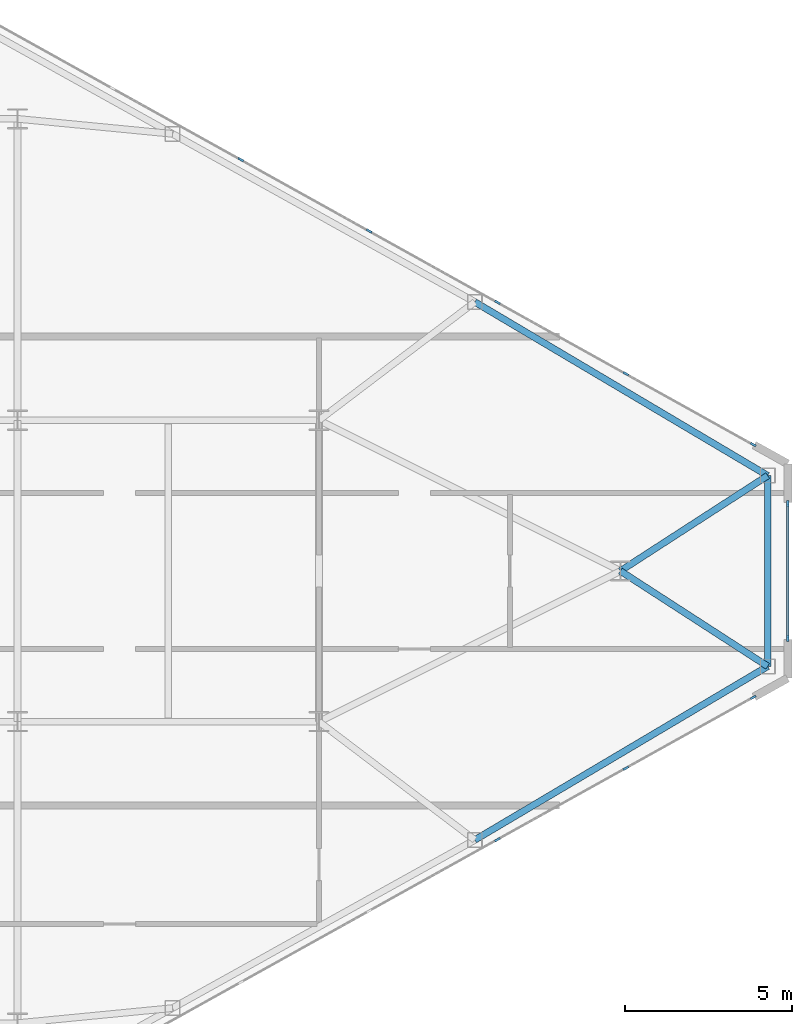
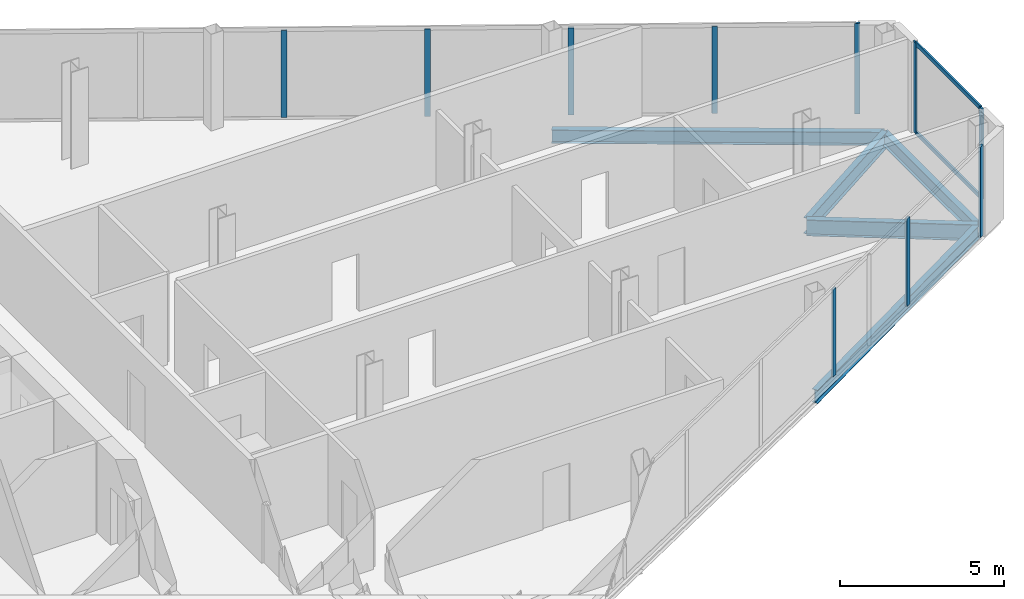
# One storey, part 17 of 26: 12 members, 5 beams, 3 elements without a shape of their own.
"""IFC4 building model written with IfcOpenShell, lengths in metres."""

from ifc_helpers import new_model, si_unit, direction, frame, origin, origin_2d, place, context, subcontext, project, spatial, rectangle, i_section, extrude, source, transform, mapped, material, layer, layer_set, material_profile, profile_set, type_object, type_shapes, element, aggregate, save


model = new_model("IFC4")

# Units and contexts
model_context = context("Model", 3, precision=1e-05, world=origin(), true_north=direction((0.0, 1.0)))
body_context = subcontext(model_context, "Body", "Model", "MODEL_VIEW")
ifc_project = project(units=[si_unit("LENGTHUNIT", "METRE"), si_unit("AREAUNIT", "SQUARE_METRE"), si_unit("VOLUMEUNIT", "CUBIC_METRE"), si_unit("PLANEANGLEUNIT", "RADIAN"), si_unit("MASSUNIT", "GRAM", prefix="KILO")], contexts=[model_context])

# Site, building, storey
site_placement = place(None, origin())
site = spatial("IfcSite", under=ifc_project, at=site_placement, CompositionType="ELEMENT")
building_placement = place(site_placement, origin())
building = spatial("IfcBuilding", under=site, at=building_placement, Name="Seokmaru Belvedere", CompositionType="ELEMENT")
storey_placement = place(building_placement, frame((0.0, 0.0, 167.10009765625)))
storey = spatial("IfcBuildingStorey", under=building, at=storey_placement, Name="L44", CompositionType="ELEMENT", Elevation=167.10009765625)

# Beams
ifc_material_1 = material(Name="Steel SM355 (355 MPa)", Category="steel")
ifc_material_profile_1 = material_profile(ifc_material_1, i_section(OverallWidth=0.199951171875, OverallDepth=0.5, WebThickness=0.010009765625, FlangeThickness=0.01611328125, at=origin_2d()), Name="H-500x200x10x16")
ifc_profile_set_1 = profile_set([ifc_material_profile_1], Name="Steel SM355 (355 MPa)")
beam_type_1 = type_object("IfcBeamType", Name="Perimeter Spandrel Beam H-500", PredefinedType="SPANDREL", material=ifc_profile_set_1)
shared_shape_1 = source(origin(), body_context, "Body", "SweptSolid", [
    extrude(i_section(OverallWidth=0.199951171875, OverallDepth=0.5, WebThickness=0.010009765625, FlangeThickness=0.01611328125, at=origin_2d()), origin(), (0.0, 0.0, 1.0), 10.16650390625),
])
for number, where, z_axis, x_axis, name in (
    (1, (59.154541015625, -8.031494140625, -0.47021484375), (0.860209996506, 0.509939959124, 0.0), (-0.509939959124, 0.860209996506, 0.0), "L44 E Faceted Flank Spandrel S-4"),
    (2, (59.154541015625, 8.031494140625, -0.47021484375), (0.860209996506, -0.509939959124, 0.0), (0.509939959124, 0.860209996506, 0.0), "L44 E Faceted Flank Spandrel N-4"),
):
    element("IfcBeam", number, at=place(storey_placement, frame(where, z_axis=z_axis, x_axis=x_axis)), inside=storey, type_object=beam_type_1, Name=name, PredefinedType="SPANDREL", context=body_context, shape_type="MappedRepresentation", body=[
        mapped(shared_shape_1, transform((0.0, 0.0, 0.0), scale=1.0)),
    ])
shared_shape_2 = source(origin(), body_context, "Body", "SweptSolid", [
    extrude(i_section(OverallWidth=0.199951171875, OverallDepth=0.5, WebThickness=0.010009765625, FlangeThickness=0.01611328125, at=origin_2d()), origin(), (0.0, 0.0, 1.0), 5.6943359375),
])
type_shapes(beam_type_1, [shared_shape_1, shared_shape_2])
beam_placement = place(storey_placement, frame((67.89990234375, -2.84716796875, -0.47021484375), z_axis=(0.0, 1.0, 0.0), x_axis=(-1.0, 0.0, 0.0)))
element("IfcBeam", 3, at=beam_placement, inside=storey, type_object=beam_type_1, Name="L44 E Faceted Apex Spandrel", PredefinedType="SPANDREL", context=body_context, shape_type="MappedRepresentation", body=[
    mapped(shared_shape_2, transform((0.0, 0.0, 0.0), scale=1.0)),
])
ifc_material_profile_2 = material_profile(ifc_material_1, i_section(OverallWidth=0.199951171875, OverallDepth=0.60009765625, WebThickness=0.010986328125, FlangeThickness=0.01708984375, at=origin_2d()), Name="H-600x200x11x17")
ifc_profile_set_2 = profile_set([ifc_material_profile_2], Name="Steel SM355 (355 MPa)")
beam_type_2 = type_object("IfcBeamType", Name="Primary Floor Girder H-600", PredefinedType="BEAM", material=ifc_profile_set_2)
shared_shape_3 = source(origin(), body_context, "Body", "SweptSolid", [
    extrude(i_section(OverallWidth=0.199951171875, OverallDepth=0.60009765625, WebThickness=0.010986328125, FlangeThickness=0.01708984375, at=origin_2d()), origin(), (0.0, 0.0, 1.0), 5.24072265625),
])
type_shapes(beam_type_2, [shared_shape_3])
for number, where, z_axis, x_axis, name in (
    (4, (67.89990234375, -2.84716796875, -0.52001953125), (-0.839555158729, 0.543274456836, 0.0), (-0.543274456836, -0.839555158729, 0.0), "L44 E Apex Radial Floor Girder 1"),
    (5, (67.89990234375, 2.84716796875, -0.52001953125), (-0.839555158729, -0.543274456836, 0.0), (0.543274456836, -0.839555158729, 0.0), "L44 E Apex Radial Floor Girder 2"),
):
    element("IfcBeam", number, at=place(storey_placement, frame(where, z_axis=z_axis, x_axis=x_axis)), inside=storey, type_object=beam_type_2, Name=name, PredefinedType="BEAM", context=body_context, shape_type="MappedRepresentation", body=[
        mapped(shared_shape_3, transform((0.0, 0.0, 0.0), scale=1.0)),
    ])

# Curtain wall, members
ifc_material_2 = material(Name="Bronze Triple Insulating Glass", Category="glass")
ifc_layer = layer(ifc_material_2, 0.179931640625)
ifc_layer_set = layer_set([ifc_layer], Name="Bronze Triple Insulating Glass")
curtain_wall_type = type_object("IfcCurtainWallType", Name="High-Rise Wind-Corner Curtain Wall System CW-5", PredefinedType="NOTDEFINED", material=ifc_layer_set)
curtain_wall_1_placement = place(storey_placement, origin())
curtain_wall_1 = element("IfcCurtainWall", 6, at=curtain_wall_1_placement, inside=storey, type_object=curtain_wall_type, Name="L44 Curtain Wall EF2", PredefinedType="NOTDEFINED")
ifc_material_3 = material(Name="Anodised Bronze Aluminium", Category="aluminium")
ifc_material_profile_3 = material_profile(ifc_material_3, rectangle(XDim=0.06494140625, YDim=0.14990234375, at=origin_2d()), Name="CW-T-65x150")
ifc_profile_set_3 = profile_set([ifc_material_profile_3], Name="Anodised Bronze Aluminium")
member_type_1 = type_object("IfcMemberType", Name="Bronze Unitised Transom 65x150", PredefinedType="USERDEFINED", material=ifc_profile_set_3)
shared_shape_4 = source(origin(), body_context, "Body", "SweptSolid", [
    extrude(rectangle(XDim=0.06494140625, YDim=0.14990234375, at=origin_2d()), origin(), (0.0, 0.0, 1.0), 3.97021484375),
])
type_shapes(member_type_1, [shared_shape_4])
member_1_placement = place(storey_placement, frame((68.5, -1.985107421875, 0.032470703125), z_axis=(0.0, 1.0, 0.0), x_axis=(-1.0, 0.0, 0.0)))
member_1 = element("IfcMember", 7, at=member_1_placement, type_object=member_type_1, Name="CW:L44:EF2 Continuous Transom 1", ObjectType="TRANSOM", PredefinedType="USERDEFINED", context=body_context, shape_type="MappedRepresentation", body=[
    mapped(shared_shape_4, transform((0.0, 0.0, 0.0), scale=1.0)),
])
member_2_placement = place(storey_placement, frame((68.5, -1.985107421875, 3.347412109375), z_axis=(0.0, 1.0, 0.0), x_axis=(-1.0, 0.0, 0.0)))
member_2 = element("IfcMember", 8, at=member_2_placement, type_object=member_type_1, Name="CW:L44:EF2 Continuous Transom 2", ObjectType="TRANSOM", PredefinedType="USERDEFINED", context=body_context, shape_type="MappedRepresentation", body=[
    mapped(shared_shape_4, transform((0.0, 0.0, 0.0), scale=1.0)),
])

# Curtain wall, member
curtain_wall_2_placement = place(storey_placement, origin())
curtain_wall_2 = element("IfcCurtainWall", 9, at=curtain_wall_2_placement, inside=storey, type_object=curtain_wall_type, Name="L44 Curtain Wall EF1", PredefinedType="NOTDEFINED")
ifc_material_profile_4 = material_profile(ifc_material_3, rectangle(XDim=0.06494140625, YDim=0.179931640625, at=origin_2d()), Name="CW-M-65x180")
ifc_profile_set_4 = profile_set([ifc_material_profile_4], Name="Anodised Bronze Aluminium")
member_type_2 = type_object("IfcMemberType", Name="Bronze Unitised Mullion 65x180", PredefinedType="MULLION", material=ifc_profile_set_4)
shared_shape_5 = source(origin(), body_context, "Body", "SweptSolid", [
    extrude(rectangle(XDim=0.06494140625, YDim=0.179931640625, at=origin_2d()), origin(), (0.0, 0.0, 1.0), 3.3798828125),
])
member_3_placement = place(storey_placement, frame((67.466552734375, -3.77490234375, 0.0), z_axis=(0.0, 0.0, 1.0), x_axis=(-0.486047125147, 0.873932601598, 0.0)))
member_3 = element("IfcMember", 10, at=member_3_placement, type_object=member_type_2, Name="CW:L44:EF1 Mullion 10", PredefinedType="MULLION", context=body_context, shape_type="MappedRepresentation", body=[
    mapped(shared_shape_5, transform((0.0, 0.0, 0.0), scale=1.0)),
])

# Member
member_4_placement = place(storey_placement, frame((68.5, -2.017578125, 0.0), z_axis=(0.0, 0.0, 1.0), x_axis=(-1.0, 0.0, 0.0)))
member_4 = element("IfcMember", 11, at=member_4_placement, type_object=member_type_2, Name="CW:L44:EF2 Mullion 1", PredefinedType="MULLION", context=body_context, shape_type="MappedRepresentation", body=[
    mapped(shared_shape_5, transform((0.0, 0.0, 0.0), scale=1.0)),
])

member_5_placement = place(storey_placement, frame((68.5, 2.017578125, 0.0), z_axis=(0.0, 0.0, 1.0), x_axis=(-1.0, 0.0, 0.0)))
member_5 = element("IfcMember", 12, at=member_5_placement, type_object=member_type_2, Name="CW:L44:EF2 Mullion 2", PredefinedType="MULLION", context=body_context, shape_type="MappedRepresentation", body=[
    mapped(shared_shape_5, transform((0.0, 0.0, 0.0), scale=1.0)),
])

aggregate(curtain_wall_1, [member_4, member_5, member_1, member_2])

# Curtain wall, member
curtain_wall_3_placement = place(storey_placement, origin())
curtain_wall_3 = element("IfcCurtainWall", 13, at=curtain_wall_3_placement, inside=storey, type_object=curtain_wall_type, Name="L44 Curtain Wall EF3", PredefinedType="NOTDEFINED")
member_6_placement = place(storey_placement, frame((67.466552734375, 3.77490234375, 0.0), z_axis=(0.0, 0.0, 1.0), x_axis=(-0.486047125147, -0.873932601598, 0.0)))
member_6 = element("IfcMember", 14, at=member_6_placement, type_object=member_type_2, Name="CW:L44:EF3 Mullion 1", PredefinedType="MULLION", context=body_context, shape_type="MappedRepresentation", body=[
    mapped(shared_shape_5, transform((0.0, 0.0, 0.0), scale=1.0)),
])

# Member
shared_shape_6 = source(origin(), body_context, "Body", "SweptSolid", [
    extrude(rectangle(XDim=0.06494140625, YDim=0.179931640625, at=origin_2d()), origin(), (0.0, 0.0, 1.0), 3.25),
])
type_shapes(member_type_2, [shared_shape_5, shared_shape_6])
member_7_placement = place(storey_placement, frame((59.83056640625, -8.021728515625, 0.06494140625), z_axis=(0.0, 0.0, 1.0), x_axis=(-0.486047125147, 0.873932601598, 0.0)))
member_7 = element("IfcMember", 15, at=member_7_placement, type_object=member_type_2, Name="CW:L44:EF1 Mullion 8", PredefinedType="MULLION", context=body_context, shape_type="MappedRepresentation", body=[
    mapped(shared_shape_6, transform((0.0, 0.0, 0.0), scale=1.0)),
])

member_8_placement = place(storey_placement, frame((63.662841796875, -5.890380859375, 0.06494140625), z_axis=(0.0, 0.0, 1.0), x_axis=(-0.486047125147, 0.873932601598, 0.0)))
member_8 = element("IfcMember", 16, at=member_8_placement, type_object=member_type_2, Name="CW:L44:EF1 Mullion 9", PredefinedType="MULLION", context=body_context, shape_type="MappedRepresentation", body=[
    mapped(shared_shape_6, transform((0.0, 0.0, 0.0), scale=1.0)),
])

aggregate(curtain_wall_2, [member_7, member_8, member_3])

member_9_placement = place(storey_placement, frame((63.662841796875, 5.890380859375, 0.06494140625), z_axis=(0.0, 0.0, 1.0), x_axis=(-0.486047125147, -0.873932601598, 0.0)))
member_9 = element("IfcMember", 17, at=member_9_placement, type_object=member_type_2, Name="CW:L44:EF3 Mullion 2", PredefinedType="MULLION", context=body_context, shape_type="MappedRepresentation", body=[
    mapped(shared_shape_6, transform((0.0, 0.0, 0.0), scale=1.0)),
])

member_10_placement = place(storey_placement, frame((59.83056640625, 8.021728515625, 0.06494140625), z_axis=(0.0, 0.0, 1.0), x_axis=(-0.486047125147, -0.873932601598, 0.0)))
member_10 = element("IfcMember", 18, at=member_10_placement, type_object=member_type_2, Name="CW:L44:EF3 Mullion 3", PredefinedType="MULLION", context=body_context, shape_type="MappedRepresentation", body=[
    mapped(shared_shape_6, transform((0.0, 0.0, 0.0), scale=1.0)),
])

member_11_placement = place(storey_placement, frame((55.998291015625, 10.153076171875, 0.06494140625), z_axis=(0.0, 0.0, 1.0), x_axis=(-0.486047125147, -0.873932601598, 0.0)))
member_11 = element("IfcMember", 19, at=member_11_placement, type_object=member_type_2, Name="CW:L44:EF3 Mullion 4", PredefinedType="MULLION", context=body_context, shape_type="MappedRepresentation", body=[
    mapped(shared_shape_6, transform((0.0, 0.0, 0.0), scale=1.0)),
])

member_12_placement = place(storey_placement, frame((52.166015625, 12.2841796875, 0.06494140625), z_axis=(0.0, 0.0, 1.0), x_axis=(-0.486047125147, -0.873932601598, 0.0)))
member_12 = element("IfcMember", 20, at=member_12_placement, type_object=member_type_2, Name="CW:L44:EF3 Mullion 5", PredefinedType="MULLION", context=body_context, shape_type="MappedRepresentation", body=[
    mapped(shared_shape_6, transform((0.0, 0.0, 0.0), scale=1.0)),
])

aggregate(curtain_wall_3, [member_6, member_9, member_10, member_11, member_12])

save(model, "model.ifc")
